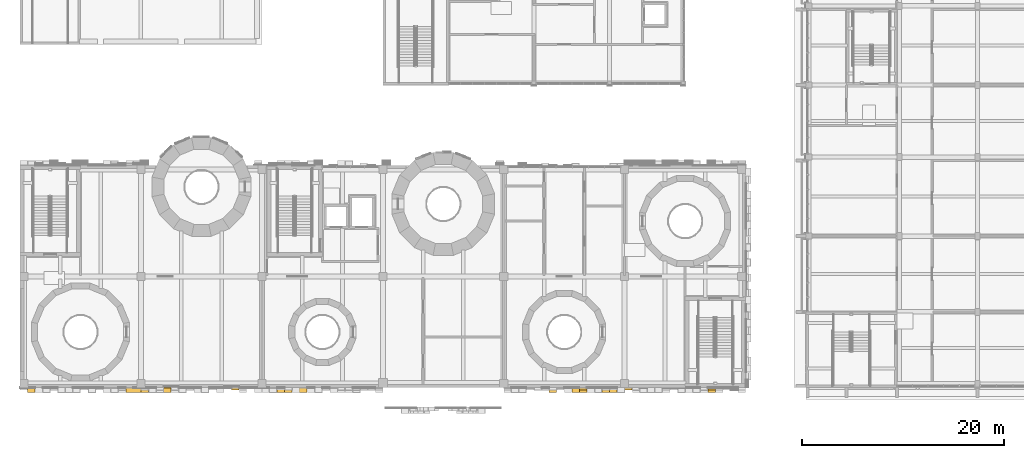
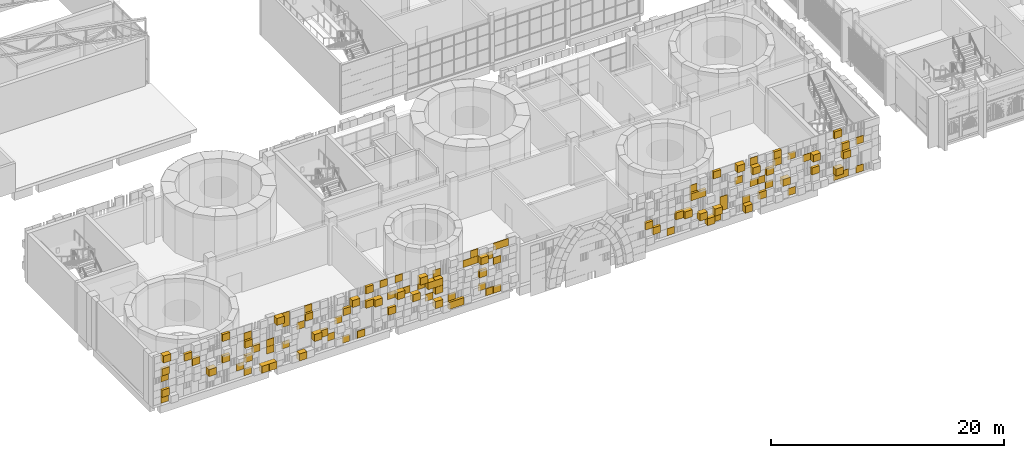
# One storey, part 94 of 125: 1 covering.
"""IFC4 building model written with IfcOpenShell, lengths in metres."""

from ifc_helpers import new_model, si_unit, direction, frame, origin, origin_2d, place, context, subcontext, project, spatial, rectangle, extrude, material, layer, layer_set, type_object, element, save


model = new_model("IFC4")

# Units and contexts
model_context = context("Model", 3, precision=1e-05, world=origin(), true_north=direction((0.0, 1.0)))
body_context = subcontext(model_context, "Body", "Model", "MODEL_VIEW")
ifc_project = project(units=[si_unit("LENGTHUNIT", "METRE"), si_unit("AREAUNIT", "SQUARE_METRE"), si_unit("VOLUMEUNIT", "CUBIC_METRE"), si_unit("PLANEANGLEUNIT", "RADIAN"), si_unit("MASSUNIT", "GRAM", prefix="KILO")], contexts=[model_context])

# Site, building, storey
site_placement = place(None, origin())
site = spatial("IfcSite", under=ifc_project, at=site_placement, CompositionType="ELEMENT")
building_placement = place(site_placement, origin())
building = spatial("IfcBuilding", under=site, at=building_placement, Name="Sun Court Science Centre", CompositionType="ELEMENT")
storey_placement = place(building_placement, frame((0.0, 0.0, 6.0)))
storey = spatial("IfcBuildingStorey", under=building, at=storey_placement, Name="L01", CompositionType="ELEMENT", Elevation=6.0)

# Covering
ifc_material = material(Name="Terracotta shade 2", Category="masonry")
ifc_layer = layer(ifc_material, 0.06005859375)
ifc_layer_set = layer_set([ifc_layer], Name="Terracotta shade 2")
covering_type = type_object("IfcCoveringType", Name="Terracotta pixel panel shade 2", PredefinedType="CLADDING", material=ifc_layer_set)
covering_placement = place(storey_placement, frame((0.0, 0.0, -6.0)))
element("IfcCovering", 1, at=covering_placement, inside=storey, type_object=covering_type, Name="Terracotta pixel cladding shade 2 south face L01", PredefinedType="CLADDING", context=body_context, shape_type="SweptSolid", body=[
    extrude(rectangle(XDim=0.739990234375, YDim=0.06005859375, at=origin_2d()), frame((68.625, 5.969970703125, 6.0048828125), z_axis=(0.0, 0.0, 1.0), x_axis=(-1.0, 0.0, 0.0)), (0.0, 0.0, 1.0), 0.739990234375),
    extrude(rectangle(XDim=0.739990234375, YDim=0.06005859375, at=origin_2d()), frame((67.875, 5.969970703125, 6.0048828125), z_axis=(0.0, 0.0, 1.0), x_axis=(-1.0, 0.0, 0.0)), (0.0, 0.0, 1.0), 0.739990234375),
    extrude(rectangle(XDim=0.739990234375, YDim=0.06005859375, at=origin_2d()), frame((63.375, 5.969970703125, 6.0048828125), z_axis=(0.0, 0.0, 1.0), x_axis=(-1.0, 0.0, 0.0)), (0.0, 0.0, 1.0), 0.739990234375),
    extrude(rectangle(XDim=0.739990234375, YDim=0.510009765625, at=origin_2d()), frame((58.875, 5.7451171875, 6.0048828125), z_axis=(0.0, 0.0, 1.0), x_axis=(-1.0, 0.0, 0.0)), (0.0, 0.0, 1.0), 0.739990234375),
    extrude(rectangle(XDim=0.739990234375, YDim=0.260009765625, at=origin_2d()), frame((55.875, 5.8701171875, 6.0048828125), z_axis=(0.0, 0.0, 1.0), x_axis=(-1.0, 0.0, 0.0)), (0.0, 0.0, 1.0), 0.739990234375),
    extrude(rectangle(XDim=0.739990234375, YDim=0.510009765625, at=origin_2d()), frame((55.125, 5.7451171875, 6.0048828125), z_axis=(0.0, 0.0, 1.0), x_axis=(-1.0, 0.0, 0.0)), (0.0, 0.0, 1.0), 0.739990234375),
    extrude(rectangle(XDim=0.739990234375, YDim=0.06005859375, at=origin_2d()), frame((51.375, 5.969970703125, 6.0048828125), z_axis=(0.0, 0.0, 1.0), x_axis=(-1.0, 0.0, 0.0)), (0.0, 0.0, 1.0), 0.739990234375),
    extrude(rectangle(XDim=0.739990234375, YDim=0.06005859375, at=origin_2d()), frame((34.125, 5.969970703125, 6.0048828125), z_axis=(0.0, 0.0, 1.0), x_axis=(-1.0, 0.0, 0.0)), (0.0, 0.0, 1.0), 0.739990234375),
    extrude(rectangle(XDim=0.739990234375, YDim=0.06005859375, at=origin_2d()), frame((33.375, 5.969970703125, 6.0048828125), z_axis=(0.0, 0.0, 1.0), x_axis=(-1.0, 0.0, 0.0)), (0.0, 0.0, 1.0), 0.739990234375),
    extrude(rectangle(XDim=0.739990234375, YDim=0.260009765625, at=origin_2d()), frame((30.375, 5.8701171875, 6.0048828125), z_axis=(0.0, 0.0, 1.0), x_axis=(-1.0, 0.0, 0.0)), (0.0, 0.0, 1.0), 0.739990234375),
    extrude(rectangle(XDim=0.739990234375, YDim=0.260009765625, at=origin_2d()), frame((29.625, 5.8701171875, 6.0048828125), z_axis=(0.0, 0.0, 1.0), x_axis=(-1.0, 0.0, 0.0)), (0.0, 0.0, 1.0), 0.739990234375),
    extrude(rectangle(XDim=0.739990234375, YDim=0.06005859375, at=origin_2d()), frame((20.625, 5.969970703125, 6.0048828125), z_axis=(0.0, 0.0, 1.0), x_axis=(-1.0, 0.0, 0.0)), (0.0, 0.0, 1.0), 0.739990234375),
    extrude(rectangle(XDim=0.739990234375, YDim=0.06005859375, at=origin_2d()), frame((19.125, 5.969970703125, 6.0048828125), z_axis=(0.0, 0.0, 1.0), x_axis=(-1.0, 0.0, 0.0)), (0.0, 0.0, 1.0), 0.739990234375),
    extrude(rectangle(XDim=0.739990234375, YDim=0.510009765625, at=origin_2d()), frame((14.625, 5.7451171875, 6.0048828125), z_axis=(0.0, 0.0, 1.0), x_axis=(-1.0, 0.0, 0.0)), (0.0, 0.0, 1.0), 0.739990234375),
    extrude(rectangle(XDim=0.739990234375, YDim=0.510009765625, at=origin_2d()), frame((11.625, 5.7451171875, 6.0048828125), z_axis=(0.0, 0.0, 1.0), x_axis=(-1.0, 0.0, 0.0)), (0.0, 0.0, 1.0), 0.739990234375),
    extrude(rectangle(XDim=0.739990234375, YDim=0.510009765625, at=origin_2d()), frame((10.875, 5.7451171875, 6.0048828125), z_axis=(0.0, 0.0, 1.0), x_axis=(-1.0, 0.0, 0.0)), (0.0, 0.0, 1.0), 0.739990234375),
    extrude(rectangle(XDim=0.739990234375, YDim=0.06005859375, at=origin_2d()), frame((9.375, 5.969970703125, 6.0048828125), z_axis=(0.0, 0.0, 1.0), x_axis=(-1.0, 0.0, 0.0)), (0.0, 0.0, 1.0), 0.739990234375),
    extrude(rectangle(XDim=0.739990234375, YDim=0.510009765625, at=origin_2d()), frame((67.875, 5.7451171875, 6.7548828125), z_axis=(0.0, 0.0, 1.0), x_axis=(-1.0, 0.0, 0.0)), (0.0, 0.0, 1.0), 0.739990234375),
    extrude(rectangle(XDim=0.739990234375, YDim=0.260009765625, at=origin_2d()), frame((60.375, 5.8701171875, 6.7548828125), z_axis=(0.0, 0.0, 1.0), x_axis=(-1.0, 0.0, 0.0)), (0.0, 0.0, 1.0), 0.739990234375),
    extrude(rectangle(XDim=0.739990234375, YDim=0.06005859375, at=origin_2d()), frame((58.875, 5.969970703125, 6.7548828125), z_axis=(0.0, 0.0, 1.0), x_axis=(-1.0, 0.0, 0.0)), (0.0, 0.0, 1.0), 0.739990234375),
    extrude(rectangle(XDim=0.739990234375, YDim=0.06005859375, at=origin_2d()), frame((56.625, 5.969970703125, 6.7548828125), z_axis=(0.0, 0.0, 1.0), x_axis=(-1.0, 0.0, 0.0)), (0.0, 0.0, 1.0), 0.739990234375),
    extrude(rectangle(XDim=0.739990234375, YDim=0.510009765625, at=origin_2d()), frame((55.875, 5.7451171875, 6.7548828125), z_axis=(0.0, 0.0, 1.0), x_axis=(-1.0, 0.0, 0.0)), (0.0, 0.0, 1.0), 0.739990234375),
    extrude(rectangle(XDim=0.739990234375, YDim=0.510009765625, at=origin_2d()), frame((54.375, 5.7451171875, 6.7548828125), z_axis=(0.0, 0.0, 1.0), x_axis=(-1.0, 0.0, 0.0)), (0.0, 0.0, 1.0), 0.739990234375),
    extrude(rectangle(XDim=0.739990234375, YDim=0.260009765625, at=origin_2d()), frame((49.875, 5.8701171875, 6.7548828125), z_axis=(0.0, 0.0, 1.0), x_axis=(-1.0, 0.0, 0.0)), (0.0, 0.0, 1.0), 0.739990234375),
    extrude(rectangle(XDim=0.739990234375, YDim=0.06005859375, at=origin_2d()), frame((32.625, 5.969970703125, 6.7548828125), z_axis=(0.0, 0.0, 1.0), x_axis=(-1.0, 0.0, 0.0)), (0.0, 0.0, 1.0), 0.739990234375),
    extrude(rectangle(XDim=0.739990234375, YDim=0.06005859375, at=origin_2d()), frame((29.625, 5.969970703125, 6.7548828125), z_axis=(0.0, 0.0, 1.0), x_axis=(-1.0, 0.0, 0.0)), (0.0, 0.0, 1.0), 0.739990234375),
    extrude(rectangle(XDim=0.739990234375, YDim=0.510009765625, at=origin_2d()), frame((28.125, 5.7451171875, 6.7548828125), z_axis=(0.0, 0.0, 1.0), x_axis=(-1.0, 0.0, 0.0)), (0.0, 0.0, 1.0), 0.739990234375),
    extrude(rectangle(XDim=0.739990234375, YDim=0.06005859375, at=origin_2d()), frame((17.625, 5.969970703125, 6.7548828125), z_axis=(0.0, 0.0, 1.0), x_axis=(-1.0, 0.0, 0.0)), (0.0, 0.0, 1.0), 0.739990234375),
    extrude(rectangle(XDim=0.739990234375, YDim=0.06005859375, at=origin_2d()), frame((8.625, 5.969970703125, 6.7548828125), z_axis=(0.0, 0.0, 1.0), x_axis=(-1.0, 0.0, 0.0)), (0.0, 0.0, 1.0), 0.739990234375),
    extrude(rectangle(XDim=0.739990234375, YDim=0.260009765625, at=origin_2d()), frame((65.625, 5.8701171875, 7.5048828125), z_axis=(0.0, 0.0, 1.0), x_axis=(-1.0, 0.0, 0.0)), (0.0, 0.0, 1.0), 0.739990234375),
    extrude(rectangle(XDim=0.739990234375, YDim=0.510009765625, at=origin_2d()), frame((62.625, 5.7451171875, 7.5048828125), z_axis=(0.0, 0.0, 1.0), x_axis=(-1.0, 0.0, 0.0)), (0.0, 0.0, 1.0), 0.739990234375),
    extrude(rectangle(XDim=0.739990234375, YDim=0.06005859375, at=origin_2d()), frame((61.125, 5.969970703125, 7.5048828125), z_axis=(0.0, 0.0, 1.0), x_axis=(-1.0, 0.0, 0.0)), (0.0, 0.0, 1.0), 0.739990234375),
    extrude(rectangle(XDim=0.739990234375, YDim=0.06005859375, at=origin_2d()), frame((56.625, 5.969970703125, 7.5048828125), z_axis=(0.0, 0.0, 1.0), x_axis=(-1.0, 0.0, 0.0)), (0.0, 0.0, 1.0), 0.739990234375),
    extrude(rectangle(XDim=0.739990234375, YDim=0.510009765625, at=origin_2d()), frame((52.875, 5.7451171875, 7.5048828125), z_axis=(0.0, 0.0, 1.0), x_axis=(-1.0, 0.0, 0.0)), (0.0, 0.0, 1.0), 0.739990234375),
    extrude(rectangle(XDim=0.739990234375, YDim=0.260009765625, at=origin_2d()), frame((52.125, 5.8701171875, 7.5048828125), z_axis=(0.0, 0.0, 1.0), x_axis=(-1.0, 0.0, 0.0)), (0.0, 0.0, 1.0), 0.739990234375),
    extrude(rectangle(XDim=0.739990234375, YDim=0.260009765625, at=origin_2d()), frame((49.125, 5.8701171875, 7.5048828125), z_axis=(0.0, 0.0, 1.0), x_axis=(-1.0, 0.0, 0.0)), (0.0, 0.0, 1.0), 0.739990234375),
    extrude(rectangle(XDim=0.739990234375, YDim=0.06005859375, at=origin_2d()), frame((27.375, 5.969970703125, 7.5048828125), z_axis=(0.0, 0.0, 1.0), x_axis=(-1.0, 0.0, 0.0)), (0.0, 0.0, 1.0), 0.739990234375),
    extrude(rectangle(XDim=0.739990234375, YDim=0.260009765625, at=origin_2d()), frame((23.625, 5.8701171875, 7.5048828125), z_axis=(0.0, 0.0, 1.0), x_axis=(-1.0, 0.0, 0.0)), (0.0, 0.0, 1.0), 0.739990234375),
    extrude(rectangle(XDim=0.739990234375, YDim=0.260009765625, at=origin_2d()), frame((16.875, 5.8701171875, 7.5048828125), z_axis=(0.0, 0.0, 1.0), x_axis=(-1.0, 0.0, 0.0)), (0.0, 0.0, 1.0), 0.739990234375),
    extrude(rectangle(XDim=0.739990234375, YDim=0.510009765625, at=origin_2d()), frame((16.125, 5.7451171875, 7.5048828125), z_axis=(0.0, 0.0, 1.0), x_axis=(-1.0, 0.0, 0.0)), (0.0, 0.0, 1.0), 0.739990234375),
    extrude(rectangle(XDim=0.739990234375, YDim=0.06005859375, at=origin_2d()), frame((13.125, 5.969970703125, 7.5048828125), z_axis=(0.0, 0.0, 1.0), x_axis=(-1.0, 0.0, 0.0)), (0.0, 0.0, 1.0), 0.739990234375),
    extrude(rectangle(XDim=0.739990234375, YDim=0.06005859375, at=origin_2d()), frame((11.625, 5.969970703125, 7.5048828125), z_axis=(0.0, 0.0, 1.0), x_axis=(-1.0, 0.0, 0.0)), (0.0, 0.0, 1.0), 0.739990234375),
    extrude(rectangle(XDim=0.739990234375, YDim=0.260009765625, at=origin_2d()), frame((9.375, 5.8701171875, 7.5048828125), z_axis=(0.0, 0.0, 1.0), x_axis=(-1.0, 0.0, 0.0)), (0.0, 0.0, 1.0), 0.739990234375),
    extrude(rectangle(XDim=0.739990234375, YDim=0.510009765625, at=origin_2d()), frame((5.625, 5.7451171875, 7.5048828125), z_axis=(0.0, 0.0, 1.0), x_axis=(-1.0, 0.0, 0.0)), (0.0, 0.0, 1.0), 0.739990234375),
    extrude(rectangle(XDim=0.739990234375, YDim=0.510009765625, at=origin_2d()), frame((68.625, 5.7451171875, 8.2548828125), z_axis=(0.0, 0.0, 1.0), x_axis=(-1.0, 0.0, 0.0)), (0.0, 0.0, 1.0), 0.739990234375),
    extrude(rectangle(XDim=0.739990234375, YDim=0.06005859375, at=origin_2d()), frame((60.375, 5.969970703125, 8.2548828125), z_axis=(0.0, 0.0, 1.0), x_axis=(-1.0, 0.0, 0.0)), (0.0, 0.0, 1.0), 0.739990234375),
    extrude(rectangle(XDim=0.739990234375, YDim=0.06005859375, at=origin_2d()), frame((59.625, 5.969970703125, 8.2548828125), z_axis=(0.0, 0.0, 1.0), x_axis=(-1.0, 0.0, 0.0)), (0.0, 0.0, 1.0), 0.739990234375),
    extrude(rectangle(XDim=0.739990234375, YDim=0.260009765625, at=origin_2d()), frame((32.625, 5.8701171875, 8.2548828125), z_axis=(0.0, 0.0, 1.0), x_axis=(-1.0, 0.0, 0.0)), (0.0, 0.0, 1.0), 0.739990234375),
    extrude(rectangle(XDim=0.739990234375, YDim=0.510009765625, at=origin_2d()), frame((28.125, 5.7451171875, 8.2548828125), z_axis=(0.0, 0.0, 1.0), x_axis=(-1.0, 0.0, 0.0)), (0.0, 0.0, 1.0), 0.739990234375),
    extrude(rectangle(XDim=0.739990234375, YDim=0.510009765625, at=origin_2d()), frame((25.875, 5.7451171875, 8.2548828125), z_axis=(0.0, 0.0, 1.0), x_axis=(-1.0, 0.0, 0.0)), (0.0, 0.0, 1.0), 0.739990234375),
    extrude(rectangle(XDim=0.739990234375, YDim=0.06005859375, at=origin_2d()), frame((18.375, 5.969970703125, 8.2548828125), z_axis=(0.0, 0.0, 1.0), x_axis=(-1.0, 0.0, 0.0)), (0.0, 0.0, 1.0), 0.739990234375),
    extrude(rectangle(XDim=0.739990234375, YDim=0.06005859375, at=origin_2d()), frame((11.625, 5.969970703125, 8.2548828125), z_axis=(0.0, 0.0, 1.0), x_axis=(-1.0, 0.0, 0.0)), (0.0, 0.0, 1.0), 0.739990234375),
    extrude(rectangle(XDim=0.739990234375, YDim=0.260009765625, at=origin_2d()), frame((10.125, 5.8701171875, 8.2548828125), z_axis=(0.0, 0.0, 1.0), x_axis=(-1.0, 0.0, 0.0)), (0.0, 0.0, 1.0), 0.739990234375),
    extrude(rectangle(XDim=0.739990234375, YDim=0.260009765625, at=origin_2d()), frame((7.125, 5.8701171875, 8.2548828125), z_axis=(0.0, 0.0, 1.0), x_axis=(-1.0, 0.0, 0.0)), (0.0, 0.0, 1.0), 0.739990234375),
    extrude(rectangle(XDim=0.739990234375, YDim=0.06005859375, at=origin_2d()), frame((70.125, 5.969970703125, 9.0048828125), z_axis=(0.0, 0.0, 1.0), x_axis=(-1.0, 0.0, 0.0)), (0.0, 0.0, 1.0), 0.739990234375),
    extrude(rectangle(XDim=0.739990234375, YDim=0.260009765625, at=origin_2d()), frame((68.625, 5.8701171875, 9.0048828125), z_axis=(0.0, 0.0, 1.0), x_axis=(-1.0, 0.0, 0.0)), (0.0, 0.0, 1.0), 0.739990234375),
    extrude(rectangle(XDim=0.739990234375, YDim=0.510009765625, at=origin_2d()), frame((65.625, 5.7451171875, 9.0048828125), z_axis=(0.0, 0.0, 1.0), x_axis=(-1.0, 0.0, 0.0)), (0.0, 0.0, 1.0), 0.739990234375),
    extrude(rectangle(XDim=0.739990234375, YDim=0.06005859375, at=origin_2d()), frame((64.875, 5.969970703125, 9.0048828125), z_axis=(0.0, 0.0, 1.0), x_axis=(-1.0, 0.0, 0.0)), (0.0, 0.0, 1.0), 0.739990234375),
    extrude(rectangle(XDim=0.739990234375, YDim=0.260009765625, at=origin_2d()), frame((61.125, 5.8701171875, 9.0048828125), z_axis=(0.0, 0.0, 1.0), x_axis=(-1.0, 0.0, 0.0)), (0.0, 0.0, 1.0), 0.739990234375),
    extrude(rectangle(XDim=0.739990234375, YDim=0.06005859375, at=origin_2d()), frame((58.125, 5.969970703125, 9.0048828125), z_axis=(0.0, 0.0, 1.0), x_axis=(-1.0, 0.0, 0.0)), (0.0, 0.0, 1.0), 0.739990234375),
    extrude(rectangle(XDim=0.739990234375, YDim=0.260009765625, at=origin_2d()), frame((54.375, 5.8701171875, 9.0048828125), z_axis=(0.0, 0.0, 1.0), x_axis=(-1.0, 0.0, 0.0)), (0.0, 0.0, 1.0), 0.739990234375),
    extrude(rectangle(XDim=0.739990234375, YDim=0.260009765625, at=origin_2d()), frame((53.625, 5.8701171875, 9.0048828125), z_axis=(0.0, 0.0, 1.0), x_axis=(-1.0, 0.0, 0.0)), (0.0, 0.0, 1.0), 0.739990234375),
    extrude(rectangle(XDim=0.739990234375, YDim=0.06005859375, at=origin_2d()), frame((34.125, 5.969970703125, 9.0048828125), z_axis=(0.0, 0.0, 1.0), x_axis=(-1.0, 0.0, 0.0)), (0.0, 0.0, 1.0), 0.739990234375),
    extrude(rectangle(XDim=0.739990234375, YDim=0.510009765625, at=origin_2d()), frame((28.125, 5.7451171875, 9.0048828125), z_axis=(0.0, 0.0, 1.0), x_axis=(-1.0, 0.0, 0.0)), (0.0, 0.0, 1.0), 0.739990234375),
    extrude(rectangle(XDim=0.739990234375, YDim=0.510009765625, at=origin_2d()), frame((27.375, 5.7451171875, 9.0048828125), z_axis=(0.0, 0.0, 1.0), x_axis=(-1.0, 0.0, 0.0)), (0.0, 0.0, 1.0), 0.739990234375),
    extrude(rectangle(XDim=0.739990234375, YDim=0.06005859375, at=origin_2d()), frame((26.625, 5.969970703125, 9.0048828125), z_axis=(0.0, 0.0, 1.0), x_axis=(-1.0, 0.0, 0.0)), (0.0, 0.0, 1.0), 0.739990234375),
    extrude(rectangle(XDim=0.739990234375, YDim=0.06005859375, at=origin_2d()), frame((25.125, 5.969970703125, 9.0048828125), z_axis=(0.0, 0.0, 1.0), x_axis=(-1.0, 0.0, 0.0)), (0.0, 0.0, 1.0), 0.739990234375),
    extrude(rectangle(XDim=0.739990234375, YDim=0.510009765625, at=origin_2d()), frame((24.375, 5.7451171875, 9.0048828125), z_axis=(0.0, 0.0, 1.0), x_axis=(-1.0, 0.0, 0.0)), (0.0, 0.0, 1.0), 0.739990234375),
    extrude(rectangle(XDim=0.739990234375, YDim=0.06005859375, at=origin_2d()), frame((23.625, 5.969970703125, 9.0048828125), z_axis=(0.0, 0.0, 1.0), x_axis=(-1.0, 0.0, 0.0)), (0.0, 0.0, 1.0), 0.739990234375),
    extrude(rectangle(XDim=0.739990234375, YDim=0.510009765625, at=origin_2d()), frame((22.125, 5.7451171875, 9.0048828125), z_axis=(0.0, 0.0, 1.0), x_axis=(-1.0, 0.0, 0.0)), (0.0, 0.0, 1.0), 0.739990234375),
    extrude(rectangle(XDim=0.739990234375, YDim=0.260009765625, at=origin_2d()), frame((21.375, 5.8701171875, 9.0048828125), z_axis=(0.0, 0.0, 1.0), x_axis=(-1.0, 0.0, 0.0)), (0.0, 0.0, 1.0), 0.739990234375),
    extrude(rectangle(XDim=0.739990234375, YDim=0.260009765625, at=origin_2d()), frame((19.125, 5.8701171875, 9.0048828125), z_axis=(0.0, 0.0, 1.0), x_axis=(-1.0, 0.0, 0.0)), (0.0, 0.0, 1.0), 0.739990234375),
    extrude(rectangle(XDim=0.739990234375, YDim=0.06005859375, at=origin_2d()), frame((14.625, 5.969970703125, 9.0048828125), z_axis=(0.0, 0.0, 1.0), x_axis=(-1.0, 0.0, 0.0)), (0.0, 0.0, 1.0), 0.739990234375),
    extrude(rectangle(XDim=0.739990234375, YDim=0.260009765625, at=origin_2d()), frame((9.375, 5.8701171875, 9.0048828125), z_axis=(0.0, 0.0, 1.0), x_axis=(-1.0, 0.0, 0.0)), (0.0, 0.0, 1.0), 0.739990234375),
    extrude(rectangle(XDim=0.739990234375, YDim=0.260009765625, at=origin_2d()), frame((4.125, 5.8701171875, 9.0048828125), z_axis=(0.0, 0.0, 1.0), x_axis=(-1.0, 0.0, 0.0)), (0.0, 0.0, 1.0), 0.739990234375),
    extrude(rectangle(XDim=0.739990234375, YDim=0.260009765625, at=origin_2d()), frame((1.125, 5.8701171875, 9.0048828125), z_axis=(0.0, 0.0, 1.0), x_axis=(-1.0, 0.0, 0.0)), (0.0, 0.0, 1.0), 0.739990234375),
    extrude(rectangle(XDim=0.739990234375, YDim=0.06005859375, at=origin_2d()), frame((63.375, 5.969970703125, 9.7548828125), z_axis=(0.0, 0.0, 1.0), x_axis=(-1.0, 0.0, 0.0)), (0.0, 0.0, 1.0), 0.739990234375),
    extrude(rectangle(XDim=0.739990234375, YDim=0.260009765625, at=origin_2d()), frame((61.875, 5.8701171875, 9.7548828125), z_axis=(0.0, 0.0, 1.0), x_axis=(-1.0, 0.0, 0.0)), (0.0, 0.0, 1.0), 0.739990234375),
    extrude(rectangle(XDim=0.739990234375, YDim=0.510009765625, at=origin_2d()), frame((59.625, 5.7451171875, 9.7548828125), z_axis=(0.0, 0.0, 1.0), x_axis=(-1.0, 0.0, 0.0)), (0.0, 0.0, 1.0), 0.739990234375),
    extrude(rectangle(XDim=0.739990234375, YDim=0.06005859375, at=origin_2d()), frame((53.625, 5.969970703125, 9.7548828125), z_axis=(0.0, 0.0, 1.0), x_axis=(-1.0, 0.0, 0.0)), (0.0, 0.0, 1.0), 0.739990234375),
    extrude(rectangle(XDim=0.739990234375, YDim=0.06005859375, at=origin_2d()), frame((33.375, 5.969970703125, 9.7548828125), z_axis=(0.0, 0.0, 1.0), x_axis=(-1.0, 0.0, 0.0)), (0.0, 0.0, 1.0), 0.739990234375),
    extrude(rectangle(XDim=0.739990234375, YDim=0.510009765625, at=origin_2d()), frame((32.625, 5.7451171875, 9.7548828125), z_axis=(0.0, 0.0, 1.0), x_axis=(-1.0, 0.0, 0.0)), (0.0, 0.0, 1.0), 0.739990234375),
    extrude(rectangle(XDim=0.739990234375, YDim=0.06005859375, at=origin_2d()), frame((31.875, 5.969970703125, 9.7548828125), z_axis=(0.0, 0.0, 1.0), x_axis=(-1.0, 0.0, 0.0)), (0.0, 0.0, 1.0), 0.739990234375),
    extrude(rectangle(XDim=0.739990234375, YDim=0.06005859375, at=origin_2d()), frame((31.125, 5.969970703125, 9.7548828125), z_axis=(0.0, 0.0, 1.0), x_axis=(-1.0, 0.0, 0.0)), (0.0, 0.0, 1.0), 0.739990234375),
    extrude(rectangle(XDim=0.739990234375, YDim=0.06005859375, at=origin_2d()), frame((28.125, 5.969970703125, 9.7548828125), z_axis=(0.0, 0.0, 1.0), x_axis=(-1.0, 0.0, 0.0)), (0.0, 0.0, 1.0), 0.739990234375),
    extrude(rectangle(XDim=0.739990234375, YDim=0.510009765625, at=origin_2d()), frame((26.625, 5.7451171875, 9.7548828125), z_axis=(0.0, 0.0, 1.0), x_axis=(-1.0, 0.0, 0.0)), (0.0, 0.0, 1.0), 0.739990234375),
    extrude(rectangle(XDim=0.739990234375, YDim=0.510009765625, at=origin_2d()), frame((19.875, 5.7451171875, 9.7548828125), z_axis=(0.0, 0.0, 1.0), x_axis=(-1.0, 0.0, 0.0)), (0.0, 0.0, 1.0), 0.739990234375),
    extrude(rectangle(XDim=0.739990234375, YDim=0.260009765625, at=origin_2d()), frame((15.375, 5.8701171875, 9.7548828125), z_axis=(0.0, 0.0, 1.0), x_axis=(-1.0, 0.0, 0.0)), (0.0, 0.0, 1.0), 0.739990234375),
    extrude(rectangle(XDim=0.739990234375, YDim=0.06005859375, at=origin_2d()), frame((13.125, 5.969970703125, 9.7548828125), z_axis=(0.0, 0.0, 1.0), x_axis=(-1.0, 0.0, 0.0)), (0.0, 0.0, 1.0), 0.739990234375),
    extrude(rectangle(XDim=0.739990234375, YDim=0.06005859375, at=origin_2d()), frame((9.375, 5.969970703125, 9.7548828125), z_axis=(0.0, 0.0, 1.0), x_axis=(-1.0, 0.0, 0.0)), (0.0, 0.0, 1.0), 0.739990234375),
    extrude(rectangle(XDim=0.739990234375, YDim=0.260009765625, at=origin_2d()), frame((3.375, 5.8701171875, 9.7548828125), z_axis=(0.0, 0.0, 1.0), x_axis=(-1.0, 0.0, 0.0)), (0.0, 0.0, 1.0), 0.739990234375),
    extrude(rectangle(XDim=0.739990234375, YDim=0.260009765625, at=origin_2d()), frame((67.875, 5.8701171875, 10.5048828125), z_axis=(0.0, 0.0, 1.0), x_axis=(-1.0, 0.0, 0.0)), (0.0, 0.0, 1.0), 0.739990234375),
    extrude(rectangle(XDim=0.739990234375, YDim=0.260009765625, at=origin_2d()), frame((61.875, 5.8701171875, 10.5048828125), z_axis=(0.0, 0.0, 1.0), x_axis=(-1.0, 0.0, 0.0)), (0.0, 0.0, 1.0), 0.739990234375),
    extrude(rectangle(XDim=0.739990234375, YDim=0.06005859375, at=origin_2d()), frame((59.625, 5.969970703125, 10.5048828125), z_axis=(0.0, 0.0, 1.0), x_axis=(-1.0, 0.0, 0.0)), (0.0, 0.0, 1.0), 0.739990234375),
    extrude(rectangle(XDim=0.739990234375, YDim=0.510009765625, at=origin_2d()), frame((58.125, 5.7451171875, 10.5048828125), z_axis=(0.0, 0.0, 1.0), x_axis=(-1.0, 0.0, 0.0)), (0.0, 0.0, 1.0), 0.739990234375),
    extrude(rectangle(XDim=0.739990234375, YDim=0.260009765625, at=origin_2d()), frame((55.875, 5.8701171875, 10.5048828125), z_axis=(0.0, 0.0, 1.0), x_axis=(-1.0, 0.0, 0.0)), (0.0, 0.0, 1.0), 0.739990234375),
    extrude(rectangle(XDim=0.739990234375, YDim=0.06005859375, at=origin_2d()), frame((34.875, 5.969970703125, 10.5048828125), z_axis=(0.0, 0.0, 1.0), x_axis=(-1.0, 0.0, 0.0)), (0.0, 0.0, 1.0), 0.739990234375),
    extrude(rectangle(XDim=0.739990234375, YDim=0.06005859375, at=origin_2d()), frame((34.125, 5.969970703125, 10.5048828125), z_axis=(0.0, 0.0, 1.0), x_axis=(-1.0, 0.0, 0.0)), (0.0, 0.0, 1.0), 0.739990234375),
    extrude(rectangle(XDim=0.739990234375, YDim=0.06005859375, at=origin_2d()), frame((31.875, 5.969970703125, 10.5048828125), z_axis=(0.0, 0.0, 1.0), x_axis=(-1.0, 0.0, 0.0)), (0.0, 0.0, 1.0), 0.739990234375),
    extrude(rectangle(XDim=0.739990234375, YDim=0.06005859375, at=origin_2d()), frame((24.375, 5.969970703125, 10.5048828125), z_axis=(0.0, 0.0, 1.0), x_axis=(-1.0, 0.0, 0.0)), (0.0, 0.0, 1.0), 0.739990234375),
    extrude(rectangle(XDim=0.739990234375, YDim=0.06005859375, at=origin_2d()), frame((22.875, 5.969970703125, 10.5048828125), z_axis=(0.0, 0.0, 1.0), x_axis=(-1.0, 0.0, 0.0)), (0.0, 0.0, 1.0), 0.739990234375),
    extrude(rectangle(XDim=0.739990234375, YDim=0.260009765625, at=origin_2d()), frame((21.375, 5.8701171875, 10.5048828125), z_axis=(0.0, 0.0, 1.0), x_axis=(-1.0, 0.0, 0.0)), (0.0, 0.0, 1.0), 0.739990234375),
    extrude(rectangle(XDim=0.739990234375, YDim=0.06005859375, at=origin_2d()), frame((15.375, 5.969970703125, 10.5048828125), z_axis=(0.0, 0.0, 1.0), x_axis=(-1.0, 0.0, 0.0)), (0.0, 0.0, 1.0), 0.739990234375),
    extrude(rectangle(XDim=0.739990234375, YDim=0.06005859375, at=origin_2d()), frame((13.125, 5.969970703125, 10.5048828125), z_axis=(0.0, 0.0, 1.0), x_axis=(-1.0, 0.0, 0.0)), (0.0, 0.0, 1.0), 0.739990234375),
    extrude(rectangle(XDim=0.739990234375, YDim=0.510009765625, at=origin_2d()), frame((12.375, 5.7451171875, 10.5048828125), z_axis=(0.0, 0.0, 1.0), x_axis=(-1.0, 0.0, 0.0)), (0.0, 0.0, 1.0), 0.739990234375),
    extrude(rectangle(XDim=0.739990234375, YDim=0.260009765625, at=origin_2d()), frame((7.125, 5.8701171875, 10.5048828125), z_axis=(0.0, 0.0, 1.0), x_axis=(-1.0, 0.0, 0.0)), (0.0, 0.0, 1.0), 0.739990234375),
    extrude(rectangle(XDim=0.739990234375, YDim=0.510009765625, at=origin_2d()), frame((1.125, 5.7451171875, 10.5048828125), z_axis=(0.0, 0.0, 1.0), x_axis=(-1.0, 0.0, 0.0)), (0.0, 0.0, 1.0), 0.739990234375),
    extrude(rectangle(XDim=0.739990234375, YDim=0.06005859375, at=origin_2d()), frame((1.125, 5.969970703125, 6.0048828125), z_axis=(0.0, 0.0, 1.0), x_axis=(-1.0, 0.0, 0.0)), (0.0, 0.0, 1.0), 0.739990234375),
    extrude(rectangle(XDim=0.739990234375, YDim=0.06005859375, at=origin_2d()), frame((1.125, 5.969970703125, 8.2548828125), z_axis=(0.0, 0.0, 1.0), x_axis=(-1.0, 0.0, 0.0)), (0.0, 0.0, 1.0), 0.739990234375),
    extrude(rectangle(XDim=0.739990234375, YDim=0.06005859375, at=origin_2d()), frame((70.125, 5.969970703125, 6.0048828125), z_axis=(0.0, 0.0, 1.0), x_axis=(-1.0, 0.0, 0.0)), (0.0, 0.0, 1.0), 0.739990234375),
    extrude(rectangle(XDim=0.739990234375, YDim=0.260009765625, at=origin_2d()), frame((1.125, 5.8701171875, 6.7548828125), z_axis=(0.0, 0.0, 1.0), x_axis=(-1.0, 0.0, 0.0)), (0.0, 0.0, 1.0), 0.739990234375),
])

save(model, "model.ifc")
